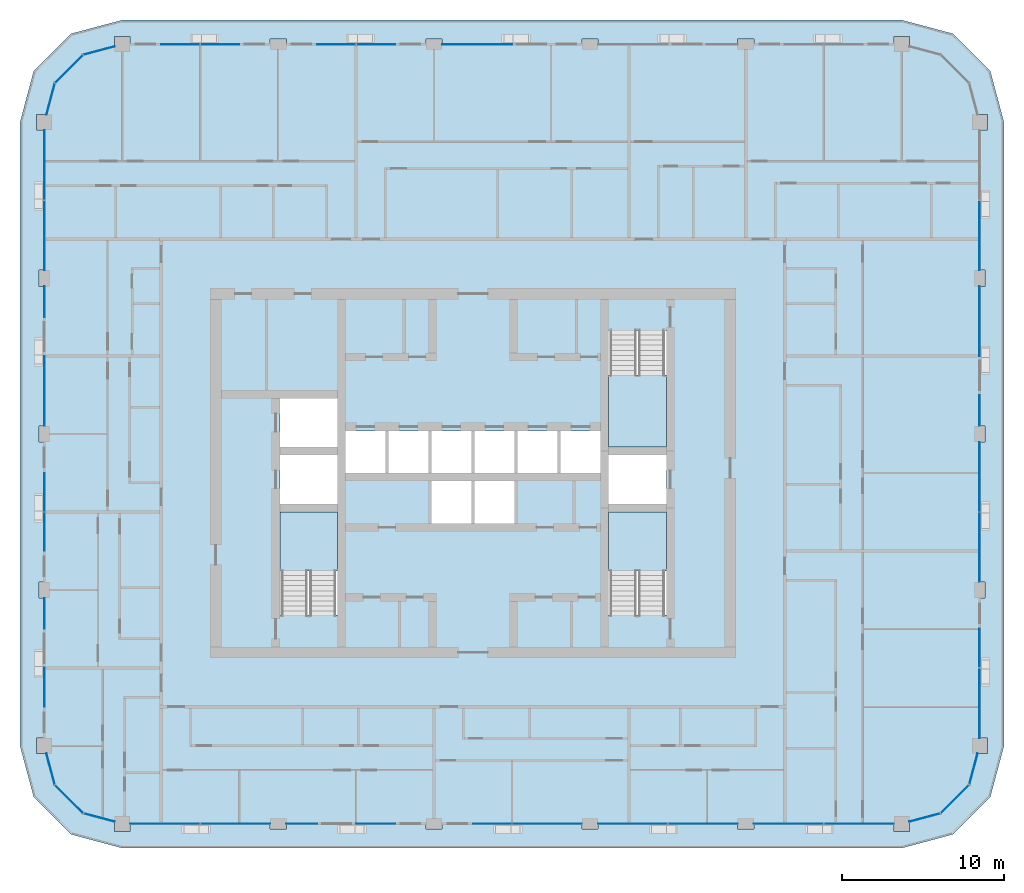
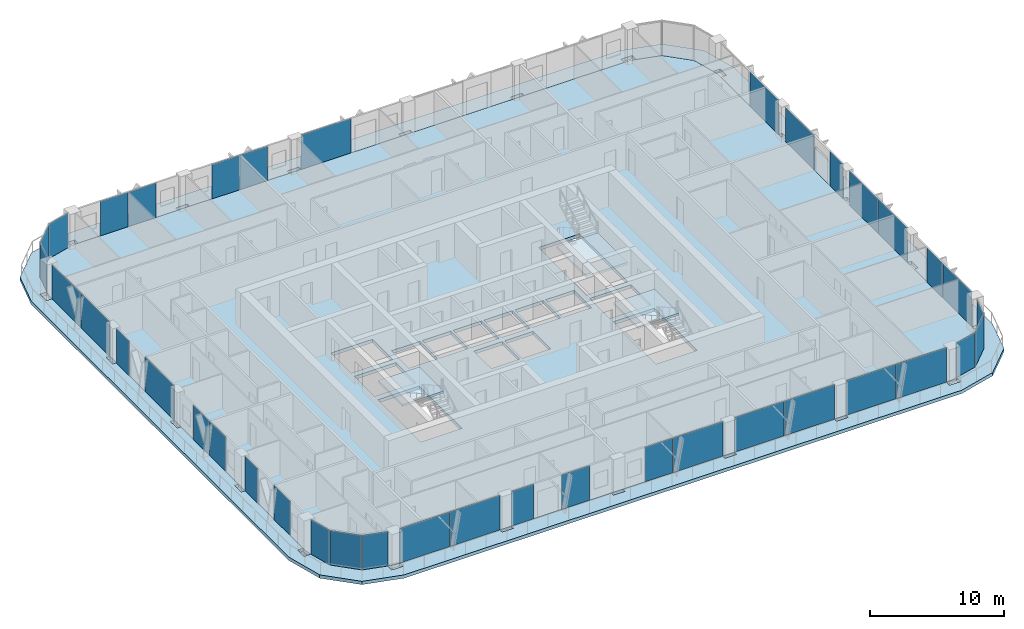
# One storey, part 7 of 23: 39 plates, 5 slabs, 22 elements without a shape of their own.
"""IFC4 building model written with IfcOpenShell, lengths in metres."""

from ifc_helpers import new_model, si_unit, direction, frame, origin, origin_2d, place, context, subcontext, project, spatial, polyline, rectangle, outline, extrude, material, layer, layer_set, type_object, element, aggregate, save


model = new_model("IFC4")

# Units and contexts
model_context = context("Model", 3, precision=1e-05, world=origin(), true_north=direction((0.0, 1.0)))
body_context = subcontext(model_context, "Body", "Model", "MODEL_VIEW")
ifc_project = project(units=[si_unit("LENGTHUNIT", "METRE"), si_unit("AREAUNIT", "SQUARE_METRE"), si_unit("VOLUMEUNIT", "CUBIC_METRE"), si_unit("PLANEANGLEUNIT", "RADIAN"), si_unit("MASSUNIT", "GRAM", prefix="KILO")], contexts=[model_context])

# Site, building, storey
site_placement = place(None, origin())
site = spatial("IfcSite", under=ifc_project, at=site_placement, CompositionType="ELEMENT")
building_placement = place(site_placement, origin())
building = spatial("IfcBuilding", under=site, at=building_placement, Name="Madar Terraces", CompositionType="ELEMENT")
storey_placement = place(building_placement, frame((0.0, 0.0, 215.800048828125)))
storey = spatial("IfcBuildingStorey", under=building, at=storey_placement, Name="L56", CompositionType="ELEMENT", Elevation=215.800048828125)

# Slabs
ifc_material_1 = material(Name="Concrete C50/60", Category="concrete")
ifc_layer_1 = layer(ifc_material_1, 0.300048828125)
ifc_layer_set_1 = layer_set([ifc_layer_1], Name="Balcony band 300")
slab_type_1 = type_object("IfcSlabType", Name="Balcony band 300", PredefinedType="FLOOR", material=ifc_layer_set_1)
slab_1_placement = place(storey_placement, frame((0.0, 0.0, -0.300048828125)))
element("IfcSlab", 1, at=slab_1_placement, inside=storey, type_object=slab_type_1, Name="Balcony band", PredefinedType="FLOOR", context=body_context, shape_type="SweptSolid", body=[
    extrude(outline(polyline([(9.60009765625, 3.300048828125), (6.449951171875, 4.14404296875), (4.14404296875, 6.449951171875), (3.300048828125, 9.60009765625), (3.300048828125, 48.0), (4.14404296875, 51.14990234375), (6.449951171875, 53.4560546875), (9.60009765625, 54.300048828125), (57.60009765625, 54.300048828125), (60.75, 53.4560546875), (63.055908203125, 51.14990234375), (63.89990234375, 48.0), (63.89990234375, 9.60009765625), (63.055908203125, 6.449951171875), (60.75, 4.14404296875), (57.60009765625, 3.300048828125), (9.60009765625, 3.300048828125)]), holes=[polyline([(10.074951171875, 4.324951171875), (10.074951171875, 4.800048828125), (18.699951171875, 4.800048828125), (18.699951171875, 4.47509765625), (19.699951171875, 4.47509765625), (19.699951171875, 4.800048828125), (28.300048828125, 4.800048828125), (28.300048828125, 4.47509765625), (29.300048828125, 4.47509765625), (29.300048828125, 4.800048828125), (37.89990234375, 4.800048828125), (37.89990234375, 4.47509765625), (38.89990234375, 4.47509765625), (38.89990234375, 4.800048828125), (47.5, 4.800048828125), (47.5, 4.47509765625), (48.5, 4.47509765625), (48.5, 4.800048828125), (57.125, 4.800048828125), (57.125, 4.324951171875), (58.074951171875, 4.324951171875), (58.074951171875, 4.92724609375), (60.0, 5.443115234375), (61.7568359375, 7.199951171875), (62.272705078125, 9.125), (62.875, 9.125), (62.875, 10.074951171875), (62.39990234375, 10.074951171875), (62.39990234375, 18.699951171875), (62.72509765625, 18.699951171875), (62.72509765625, 19.699951171875), (62.39990234375, 19.699951171875), (62.39990234375, 28.300048828125), (62.72509765625, 28.300048828125), (62.72509765625, 29.300048828125), (62.39990234375, 29.300048828125), (62.39990234375, 37.89990234375), (62.72509765625, 37.89990234375), (62.72509765625, 38.89990234375), (62.39990234375, 38.89990234375), (62.39990234375, 47.52490234375), (62.875, 47.52490234375), (62.875, 48.47509765625), (62.272705078125, 48.47509765625), (61.7568359375, 50.39990234375), (60.0, 52.156982421875), (58.074951171875, 52.672607421875), (58.074951171875, 53.27490234375), (57.125, 53.27490234375), (57.125, 52.800048828125), (48.5, 52.800048828125), (48.5, 53.125), (47.5, 53.125), (47.5, 52.800048828125), (38.89990234375, 52.800048828125), (38.89990234375, 53.125), (37.89990234375, 53.125), (37.89990234375, 52.800048828125), (29.300048828125, 52.800048828125), (29.300048828125, 53.125), (28.300048828125, 53.125), (28.300048828125, 52.800048828125), (19.699951171875, 52.800048828125), (19.699951171875, 53.125), (18.699951171875, 53.125), (18.699951171875, 52.800048828125), (10.074951171875, 52.800048828125), (10.074951171875, 53.27490234375), (9.125, 53.27490234375), (9.125, 52.672607421875), (7.199951171875, 52.156982421875), (5.443115234375, 50.39990234375), (4.92724609375, 48.47509765625), (4.324951171875, 48.47509765625), (4.324951171875, 47.52490234375), (4.800048828125, 47.52490234375), (4.800048828125, 38.89990234375), (4.47509765625, 38.89990234375), (4.47509765625, 37.89990234375), (4.800048828125, 37.89990234375), (4.800048828125, 29.300048828125), (4.47509765625, 29.300048828125), (4.47509765625, 28.300048828125), (4.800048828125, 28.300048828125), (4.800048828125, 19.699951171875), (4.47509765625, 19.699951171875), (4.47509765625, 18.699951171875), (4.800048828125, 18.699951171875), (4.800048828125, 10.074951171875), (4.324951171875, 10.074951171875), (4.324951171875, 9.125), (4.92724609375, 9.125), (5.443115234375, 7.199951171875), (7.199951171875, 5.443115234375), (9.125, 4.92724609375), (9.125, 4.324951171875), (10.074951171875, 4.324951171875)])]), origin(), (0.0, 0.0, 1.0), 0.300048828125),
])
ifc_material_2 = material(Name="Concrete C50/60", Category="concrete")
ifc_layer_2 = layer(ifc_material_2, 0.300048828125)
ifc_layer_set_2 = layer_set([ifc_layer_2], Name="FS2 PT flat slab 300")
slab_type_2 = type_object("IfcSlabType", Name="FS2 PT flat slab 300", PredefinedType="FLOOR", material=ifc_layer_set_2)
slab_2_placement = place(storey_placement, frame((0.0, 0.0, -0.300048828125)))
element("IfcSlab", 2, at=slab_2_placement, inside=storey, type_object=slab_type_2, Name="Floor slab L56 (1)", PredefinedType="FLOOR", context=body_context, shape_type="SweptSolid", body=[
    extrude(outline(polyline([(57.60009765625, 4.800048828125), (60.0, 5.443115234375), (61.7568359375, 7.199951171875), (62.39990234375, 9.60009765625), (62.39990234375, 48.0), (61.7568359375, 50.39990234375), (60.0, 52.156982421875), (57.60009765625, 52.800048828125), (9.60009765625, 52.800048828125), (7.199951171875, 52.156982421875), (5.443115234375, 50.39990234375), (4.800048828125, 48.0), (4.800048828125, 9.60009765625), (5.443115234375, 7.199951171875), (7.199951171875, 5.443115234375), (9.60009765625, 4.800048828125), (57.60009765625, 4.800048828125)]), holes=[polyline([(22.85009765625, 17.64990234375), (19.300048828125, 17.64990234375), (19.300048828125, 24.0), (22.85009765625, 24.0), (22.85009765625, 17.64990234375)]), polyline([(28.64990234375, 23.300048828125), (28.64990234375, 25.89990234375), (31.10009765625, 25.89990234375), (31.10009765625, 23.300048828125), (28.64990234375, 23.300048828125)]), polyline([(19.300048828125, 24.5), (19.300048828125, 27.5), (22.85009765625, 27.5), (22.85009765625, 24.5), (19.300048828125, 24.5)]), polyline([(23.35009765625, 26.39990234375), (23.35009765625, 29.0), (25.800048828125, 29.0), (25.800048828125, 26.39990234375), (23.35009765625, 26.39990234375)]), polyline([(26.0, 26.39990234375), (26.0, 29.0), (28.449951171875, 29.0), (28.449951171875, 26.39990234375), (26.0, 26.39990234375)]), polyline([(28.64990234375, 26.39990234375), (28.64990234375, 29.0), (31.10009765625, 29.0), (31.10009765625, 26.39990234375), (28.64990234375, 26.39990234375)]), polyline([(19.300048828125, 28.0), (19.300048828125, 31.0), (22.85009765625, 31.0), (22.85009765625, 28.0), (19.300048828125, 28.0)]), polyline([(43.10009765625, 17.64990234375), (39.550048828125, 17.64990234375), (39.550048828125, 24.0), (43.10009765625, 24.0), (43.10009765625, 17.64990234375)]), polyline([(31.300048828125, 23.300048828125), (31.300048828125, 25.89990234375), (33.75, 25.89990234375), (33.75, 23.300048828125), (31.300048828125, 23.300048828125)]), polyline([(39.550048828125, 24.5), (39.550048828125, 27.5), (43.10009765625, 27.5), (43.10009765625, 24.5), (39.550048828125, 24.5)]), polyline([(31.300048828125, 26.39990234375), (31.300048828125, 29.0), (33.75, 29.0), (33.75, 26.39990234375), (31.300048828125, 26.39990234375)]), polyline([(33.949951171875, 26.39990234375), (33.949951171875, 29.0), (36.39990234375, 29.0), (36.39990234375, 26.39990234375), (33.949951171875, 26.39990234375)]), polyline([(36.60009765625, 26.39990234375), (36.60009765625, 29.0), (39.050048828125, 29.0), (39.050048828125, 26.39990234375), (36.60009765625, 26.39990234375)]), polyline([(39.550048828125, 28.0), (39.550048828125, 35.14990234375), (43.10009765625, 35.14990234375), (43.10009765625, 28.0), (39.550048828125, 28.0)])]), origin(), (0.0, 0.0, 1.0), 0.300048828125),
])

# Curtain wall, plates
ifc_material_3 = material(Name="Glass, ceramic frit dark grey, with black aluminium frame", Category="aluminium")
ifc_layer_3 = layer(ifc_material_3, 0.199951171875)
ifc_layer_set_3 = layer_set([ifc_layer_3], Name="Facade curtain wall, fritted glass")
curtain_wall_type = type_object("IfcCurtainWallType", Name="Facade curtain wall, fritted glass", PredefinedType="NOTDEFINED", material=ifc_layer_set_3)
curtain_wall_1_placement = place(storey_placement, origin())
curtain_wall_1 = element("IfcCurtainWall", 3, at=curtain_wall_1_placement, inside=storey, type_object=curtain_wall_type, Name="Outer skin curtain wall south bay 1", PredefinedType="NOTDEFINED")
ifc_material_4 = material(Name="Glass, ceramic frit dark grey", Category="glass")
ifc_layer_4 = layer(ifc_material_4, 0.028076171875)
ifc_layer_set_4 = layer_set([ifc_layer_4], Name="Facade glass panel 28")
plate_type = type_object("IfcPlateType", Name="Facade glass panel 28", PredefinedType="CURTAIN_PANEL", material=ifc_layer_set_4)
plate_1_placement = place(storey_placement, frame((12.222412109375, 4.800048828125, 0.0), z_axis=(0.0, 0.0, 1.0), x_axis=(1.0, 0.0, 0.0)))
plate_1 = element("IfcPlate", 4, at=plate_1_placement, type_object=plate_type, Name="Panel 1", PredefinedType="CURTAIN_PANEL", context=body_context, shape_type="SweptSolid", body=[
    extrude(rectangle(XDim=4.294921875, YDim=0.028076171875, at=origin_2d()), origin(), (0.0, 0.0, 1.0), 3.139892578125),
])
plate_2_placement = place(storey_placement, frame((16.56494140625, 4.800048828125, 0.0), z_axis=(0.0, 0.0, 1.0), x_axis=(1.0, 0.0, 0.0)))
plate_2 = element("IfcPlate", 5, at=plate_2_placement, type_object=plate_type, Name="Panel 2", PredefinedType="CURTAIN_PANEL", context=body_context, shape_type="SweptSolid", body=[
    extrude(rectangle(XDim=4.27001953125, YDim=0.028076171875, at=origin_2d()), origin(), (0.0, 0.0, 1.0), 3.139892578125),
])
aggregate(curtain_wall_1, [plate_1, plate_2])

curtain_wall_2_placement = place(storey_placement, origin())
curtain_wall_2 = element("IfcCurtainWall", 6, at=curtain_wall_2_placement, inside=storey, type_object=curtain_wall_type, Name="Outer skin curtain wall south bay 2", PredefinedType="NOTDEFINED")
plate_3_placement = place(storey_placement, frame((20.64990234375, 4.800048828125, 0.0), z_axis=(0.0, 0.0, 1.0), x_axis=(1.0, 0.0, 0.0)))
plate_3 = element("IfcPlate", 7, at=plate_3_placement, type_object=plate_type, Name="Panel 1", PredefinedType="CURTAIN_PANEL", context=body_context, shape_type="SweptSolid", body=[
    extrude(rectangle(XDim=1.89990234375, YDim=0.028076171875, at=origin_2d()), origin(), (0.0, 0.0, 1.0), 3.139892578125),
])
plate_4_placement = place(storey_placement, frame((25.199951171875, 4.800048828125, 0.0), z_axis=(0.0, 0.0, 1.0), x_axis=(1.0, 0.0, 0.0)))
plate_4 = element("IfcPlate", 8, at=plate_4_placement, type_object=plate_type, Name="Panel 2", PredefinedType="CURTAIN_PANEL", context=body_context, shape_type="SweptSolid", body=[
    extrude(rectangle(XDim=2.39990234375, YDim=0.028076171875, at=origin_2d()), origin(), (0.0, 0.0, 1.0), 3.139892578125),
])
aggregate(curtain_wall_2, [plate_3, plate_4])

curtain_wall_3_placement = place(storey_placement, origin())
curtain_wall_3 = element("IfcCurtainWall", 9, at=curtain_wall_3_placement, inside=storey, type_object=curtain_wall_type, Name="Outer skin curtain wall south bay 3", PredefinedType="NOTDEFINED")
plate_5_placement = place(storey_placement, frame((32.385009765625, 4.800048828125, 0.0), z_axis=(0.0, 0.0, 1.0), x_axis=(1.0, 0.0, 0.0)))
plate_5 = element("IfcPlate", 10, at=plate_5_placement, type_object=plate_type, Name="Panel 1", PredefinedType="CURTAIN_PANEL", context=body_context, shape_type="SweptSolid", body=[
    extrude(rectangle(XDim=2.3701171875, YDim=0.028076171875, at=origin_2d()), origin(), (0.0, 0.0, 1.0), 3.139892578125),
])
plate_6_placement = place(storey_placement, frame((35.764892578125, 4.800048828125, 0.0), z_axis=(0.0, 0.0, 1.0), x_axis=(1.0, 0.0, 0.0)))
plate_6 = element("IfcPlate", 11, at=plate_6_placement, type_object=plate_type, Name="Panel 2", PredefinedType="CURTAIN_PANEL", context=body_context, shape_type="SweptSolid", body=[
    extrude(rectangle(XDim=4.27001953125, YDim=0.028076171875, at=origin_2d()), origin(), (0.0, 0.0, 1.0), 3.139892578125),
])
aggregate(curtain_wall_3, [plate_5, plate_6])

curtain_wall_4_placement = place(storey_placement, origin())
curtain_wall_4 = element("IfcCurtainWall", 12, at=curtain_wall_4_placement, inside=storey, type_object=curtain_wall_type, Name="Outer skin curtain wall south bay 4", PredefinedType="NOTDEFINED")
plate_7_placement = place(storey_placement, frame((41.034912109375, 4.800048828125, 0.0), z_axis=(0.0, 0.0, 1.0), x_axis=(1.0, 0.0, 0.0)))
plate_7 = element("IfcPlate", 13, at=plate_7_placement, type_object=plate_type, Name="Panel 1", PredefinedType="CURTAIN_PANEL", context=body_context, shape_type="SweptSolid", body=[
    extrude(rectangle(XDim=4.27001953125, YDim=0.028076171875, at=origin_2d()), origin(), (0.0, 0.0, 1.0), 3.139892578125),
])
plate_8_placement = place(storey_placement, frame((45.364990234375, 4.800048828125, 0.0), z_axis=(0.0, 0.0, 1.0), x_axis=(1.0, 0.0, 0.0)))
plate_8 = element("IfcPlate", 14, at=plate_8_placement, type_object=plate_type, Name="Panel 2", PredefinedType="CURTAIN_PANEL", context=body_context, shape_type="SweptSolid", body=[
    extrude(rectangle(XDim=4.27001953125, YDim=0.028076171875, at=origin_2d()), origin(), (0.0, 0.0, 1.0), 3.139892578125),
])
aggregate(curtain_wall_4, [plate_7, plate_8])

curtain_wall_5_placement = place(storey_placement, origin())
curtain_wall_5 = element("IfcCurtainWall", 15, at=curtain_wall_5_placement, inside=storey, type_object=curtain_wall_type, Name="Outer skin curtain wall south bay 5", PredefinedType="NOTDEFINED")
plate_9_placement = place(storey_placement, frame((50.635009765625, 4.800048828125, 0.0), z_axis=(0.0, 0.0, 1.0), x_axis=(1.0, 0.0, 0.0)))
plate_9 = element("IfcPlate", 16, at=plate_9_placement, type_object=plate_type, Name="Panel 1", PredefinedType="CURTAIN_PANEL", context=body_context, shape_type="SweptSolid", body=[
    extrude(rectangle(XDim=4.27001953125, YDim=0.028076171875, at=origin_2d()), origin(), (0.0, 0.0, 1.0), 3.139892578125),
])
plate_10_placement = place(storey_placement, frame((54.9775390625, 4.800048828125, 0.0), z_axis=(0.0, 0.0, 1.0), x_axis=(1.0, 0.0, 0.0)))
plate_10 = element("IfcPlate", 17, at=plate_10_placement, type_object=plate_type, Name="Panel 2", PredefinedType="CURTAIN_PANEL", context=body_context, shape_type="SweptSolid", body=[
    extrude(rectangle(XDim=4.294921875, YDim=0.028076171875, at=origin_2d()), origin(), (0.0, 0.0, 1.0), 3.139892578125),
])
aggregate(curtain_wall_5, [plate_9, plate_10])

curtain_wall_6_placement = place(storey_placement, origin())
curtain_wall_6 = element("IfcCurtainWall", 18, at=curtain_wall_6_placement, inside=storey, type_object=curtain_wall_type, Name="Outer skin curtain wall east bay 1", PredefinedType="NOTDEFINED")
plate_11_placement = place(storey_placement, frame((62.39990234375, 12.222412109375, 0.0), z_axis=(0.0, 0.0, 1.0), x_axis=(0.0, 1.0, 0.0)))
plate_11 = element("IfcPlate", 19, at=plate_11_placement, type_object=plate_type, Name="Panel 1", PredefinedType="CURTAIN_PANEL", context=body_context, shape_type="SweptSolid", body=[
    extrude(rectangle(XDim=4.294921875, YDim=0.028076171875, at=origin_2d()), origin(), (0.0, 0.0, 1.0), 3.139892578125),
])
plate_12_placement = place(storey_placement, frame((62.39990234375, 15.614990234375, 0.0), z_axis=(0.0, 0.0, 1.0), x_axis=(0.0, 1.0, 0.0)))
plate_12 = element("IfcPlate", 20, at=plate_12_placement, type_object=plate_type, Name="Panel 2", PredefinedType="CURTAIN_PANEL", context=body_context, shape_type="SweptSolid", body=[
    extrude(rectangle(XDim=2.3701171875, YDim=0.028076171875, at=origin_2d()), origin(), (0.0, 0.0, 1.0), 3.139892578125),
])
aggregate(curtain_wall_6, [plate_11, plate_12])

curtain_wall_7_placement = place(storey_placement, origin())
curtain_wall_7 = element("IfcCurtainWall", 21, at=curtain_wall_7_placement, inside=storey, type_object=curtain_wall_type, Name="Outer skin curtain wall east bay 2", PredefinedType="NOTDEFINED")
plate_13_placement = place(storey_placement, frame((62.39990234375, 21.8349609375, 0.0), z_axis=(0.0, 0.0, 1.0), x_axis=(0.0, 1.0, 0.0)))
plate_13 = element("IfcPlate", 22, at=plate_13_placement, type_object=plate_type, Name="Panel 1", PredefinedType="CURTAIN_PANEL", context=body_context, shape_type="SweptSolid", body=[
    extrude(rectangle(XDim=4.27001953125, YDim=0.028076171875, at=origin_2d()), origin(), (0.0, 0.0, 1.0), 3.139892578125),
])
plate_14_placement = place(storey_placement, frame((62.39990234375, 26.1650390625, 0.0), z_axis=(0.0, 0.0, 1.0), x_axis=(0.0, 1.0, 0.0)))
plate_14 = element("IfcPlate", 23, at=plate_14_placement, type_object=plate_type, Name="Panel 2", PredefinedType="CURTAIN_PANEL", context=body_context, shape_type="SweptSolid", body=[
    extrude(rectangle(XDim=4.27001953125, YDim=0.028076171875, at=origin_2d()), origin(), (0.0, 0.0, 1.0), 3.139892578125),
])
aggregate(curtain_wall_7, [plate_13, plate_14])

curtain_wall_8_placement = place(storey_placement, origin())
curtain_wall_8 = element("IfcCurtainWall", 24, at=curtain_wall_8_placement, inside=storey, type_object=curtain_wall_type, Name="Outer skin curtain wall east bay 3", PredefinedType="NOTDEFINED")
plate_15_placement = place(storey_placement, frame((62.39990234375, 30.25, 0.0), z_axis=(0.0, 0.0, 1.0), x_axis=(0.0, 1.0, 0.0)))
plate_15 = element("IfcPlate", 25, at=plate_15_placement, type_object=plate_type, Name="Panel 1", PredefinedType="CURTAIN_PANEL", context=body_context, shape_type="SweptSolid", body=[
    extrude(rectangle(XDim=1.89990234375, YDim=0.028076171875, at=origin_2d()), origin(), (0.0, 0.0, 1.0), 3.139892578125),
])
plate_16_placement = place(storey_placement, frame((62.39990234375, 35.75, 0.0), z_axis=(0.0, 0.0, 1.0), x_axis=(0.0, 1.0, 0.0)))
plate_16 = element("IfcPlate", 26, at=plate_16_placement, type_object=plate_type, Name="Panel 2", PredefinedType="CURTAIN_PANEL", context=body_context, shape_type="SweptSolid", body=[
    extrude(rectangle(XDim=4.300048828125, YDim=0.028076171875, at=origin_2d()), origin(), (0.0, 0.0, 1.0), 3.139892578125),
])
aggregate(curtain_wall_8, [plate_15, plate_16])

# Curtain wall, plate
curtain_wall_9_placement = place(storey_placement, origin())
curtain_wall_9 = element("IfcCurtainWall", 27, at=curtain_wall_9_placement, inside=storey, type_object=curtain_wall_type, Name="Outer skin curtain wall east bay 4", PredefinedType="NOTDEFINED")
plate_17_placement = place(storey_placement, frame((62.39990234375, 41.034912109375, 0.0), z_axis=(0.0, 0.0, 1.0), x_axis=(0.0, 1.0, 0.0)))
plate_17 = element("IfcPlate", 28, at=plate_17_placement, type_object=plate_type, Name="Panel 1", PredefinedType="CURTAIN_PANEL", context=body_context, shape_type="SweptSolid", body=[
    extrude(rectangle(XDim=4.27001953125, YDim=0.028076171875, at=origin_2d()), origin(), (0.0, 0.0, 1.0), 3.139892578125),
])
aggregate(curtain_wall_9, [plate_17])

curtain_wall_10_placement = place(storey_placement, origin())
curtain_wall_10 = element("IfcCurtainWall", 29, at=curtain_wall_10_placement, inside=storey, type_object=curtain_wall_type, Name="Outer skin curtain wall north bay 3", PredefinedType="NOTDEFINED")
plate_18_placement = place(storey_placement, frame((31.449951171875, 52.800048828125, 0.0), z_axis=(0.0, 0.0, 1.0), x_axis=(-1.0, 0.0, 0.0)))
plate_18 = element("IfcPlate", 30, at=plate_18_placement, type_object=plate_type, Name="Panel 1", PredefinedType="CURTAIN_PANEL", context=body_context, shape_type="SweptSolid", body=[
    extrude(rectangle(XDim=4.300048828125, YDim=0.028076171875, at=origin_2d()), origin(), (0.0, 0.0, 1.0), 3.139892578125),
])
aggregate(curtain_wall_10, [plate_18])

# Curtain wall, plates
curtain_wall_11_placement = place(storey_placement, origin())
curtain_wall_11 = element("IfcCurtainWall", 31, at=curtain_wall_11_placement, inside=storey, type_object=curtain_wall_type, Name="Outer skin curtain wall north bay 4", PredefinedType="NOTDEFINED")
plate_19_placement = place(storey_placement, frame((25.215087890625, 52.800048828125, 0.0), z_axis=(0.0, 0.0, 1.0), x_axis=(-1.0, 0.0, 0.0)))
plate_19 = element("IfcPlate", 32, at=plate_19_placement, type_object=plate_type, Name="Panel 1", PredefinedType="CURTAIN_PANEL", context=body_context, shape_type="SweptSolid", body=[
    extrude(rectangle(XDim=2.3701171875, YDim=0.028076171875, at=origin_2d()), origin(), (0.0, 0.0, 1.0), 3.139892578125),
])
plate_20_placement = place(storey_placement, frame((22.784912109375, 52.800048828125, 0.0), z_axis=(0.0, 0.0, 1.0), x_axis=(-1.0, 0.0, 0.0)))
plate_20 = element("IfcPlate", 33, at=plate_20_placement, type_object=plate_type, Name="Panel 2", PredefinedType="CURTAIN_PANEL", context=body_context, shape_type="SweptSolid", body=[
    extrude(rectangle(XDim=2.3701171875, YDim=0.028076171875, at=origin_2d()), origin(), (0.0, 0.0, 1.0), 3.139892578125),
])
aggregate(curtain_wall_11, [plate_19, plate_20])

curtain_wall_12_placement = place(storey_placement, origin())
curtain_wall_12 = element("IfcCurtainWall", 34, at=curtain_wall_12_placement, inside=storey, type_object=curtain_wall_type, Name="Outer skin curtain wall north bay 5", PredefinedType="NOTDEFINED")
plate_21_placement = place(storey_placement, frame((15.614990234375, 52.800048828125, 0.0), z_axis=(0.0, 0.0, 1.0), x_axis=(-1.0, 0.0, 0.0)))
plate_21 = element("IfcPlate", 35, at=plate_21_placement, type_object=plate_type, Name="Panel 1", PredefinedType="CURTAIN_PANEL", context=body_context, shape_type="SweptSolid", body=[
    extrude(rectangle(XDim=2.3701171875, YDim=0.028076171875, at=origin_2d()), origin(), (0.0, 0.0, 1.0), 3.139892578125),
])
plate_22_placement = place(storey_placement, frame((13.18505859375, 52.800048828125, 0.0), z_axis=(0.0, 0.0, 1.0), x_axis=(-1.0, 0.0, 0.0)))
plate_22 = element("IfcPlate", 36, at=plate_22_placement, type_object=plate_type, Name="Panel 2", PredefinedType="CURTAIN_PANEL", context=body_context, shape_type="SweptSolid", body=[
    extrude(rectangle(XDim=2.3701171875, YDim=0.028076171875, at=origin_2d()), origin(), (0.0, 0.0, 1.0), 3.139892578125),
])
aggregate(curtain_wall_12, [plate_21, plate_22])

curtain_wall_13_placement = place(storey_placement, origin())
curtain_wall_13 = element("IfcCurtainWall", 37, at=curtain_wall_13_placement, inside=storey, type_object=curtain_wall_type, Name="Outer skin curtain wall west bay 1", PredefinedType="NOTDEFINED")
plate_23_placement = place(storey_placement, frame((4.800048828125, 45.37744140625, 0.0), z_axis=(0.0, 0.0, 1.0), x_axis=(0.0, -1.0, 0.0)))
plate_23 = element("IfcPlate", 38, at=plate_23_placement, type_object=plate_type, Name="Panel 1", PredefinedType="CURTAIN_PANEL", context=body_context, shape_type="SweptSolid", body=[
    extrude(rectangle(XDim=4.294921875, YDim=0.028076171875, at=origin_2d()), origin(), (0.0, 0.0, 1.0), 3.139892578125),
])
plate_24_placement = place(storey_placement, frame((4.800048828125, 41.034912109375, 0.0), z_axis=(0.0, 0.0, 1.0), x_axis=(0.0, -1.0, 0.0)))
plate_24 = element("IfcPlate", 39, at=plate_24_placement, type_object=plate_type, Name="Panel 2", PredefinedType="CURTAIN_PANEL", context=body_context, shape_type="SweptSolid", body=[
    extrude(rectangle(XDim=4.27001953125, YDim=0.028076171875, at=origin_2d()), origin(), (0.0, 0.0, 1.0), 3.139892578125),
])
aggregate(curtain_wall_13, [plate_23, plate_24])

curtain_wall_14_placement = place(storey_placement, origin())
curtain_wall_14 = element("IfcCurtainWall", 40, at=curtain_wall_14_placement, inside=storey, type_object=curtain_wall_type, Name="Outer skin curtain wall west bay 2", PredefinedType="NOTDEFINED")
plate_25_placement = place(storey_placement, frame((4.800048828125, 36.949951171875, 0.0), z_axis=(0.0, 0.0, 1.0), x_axis=(0.0, -1.0, 0.0)))
plate_25 = element("IfcPlate", 41, at=plate_25_placement, type_object=plate_type, Name="Panel 1", PredefinedType="CURTAIN_PANEL", context=body_context, shape_type="SweptSolid", body=[
    extrude(rectangle(XDim=1.89990234375, YDim=0.028076171875, at=origin_2d()), origin(), (0.0, 0.0, 1.0), 3.139892578125),
])
plate_26_placement = place(storey_placement, frame((4.800048828125, 31.449951171875, 0.0), z_axis=(0.0, 0.0, 1.0), x_axis=(0.0, -1.0, 0.0)))
plate_26 = element("IfcPlate", 42, at=plate_26_placement, type_object=plate_type, Name="Panel 2", PredefinedType="CURTAIN_PANEL", context=body_context, shape_type="SweptSolid", body=[
    extrude(rectangle(XDim=4.300048828125, YDim=0.028076171875, at=origin_2d()), origin(), (0.0, 0.0, 1.0), 3.139892578125),
])
aggregate(curtain_wall_14, [plate_25, plate_26])

curtain_wall_15_placement = place(storey_placement, origin())
curtain_wall_15 = element("IfcCurtainWall", 43, at=curtain_wall_15_placement, inside=storey, type_object=curtain_wall_type, Name="Outer skin curtain wall west bay 3", PredefinedType="NOTDEFINED")
plate_27_placement = place(storey_placement, frame((4.800048828125, 25.215087890625, 0.0), z_axis=(0.0, 0.0, 1.0), x_axis=(0.0, -1.0, 0.0)))
plate_27 = element("IfcPlate", 44, at=plate_27_placement, type_object=plate_type, Name="Panel 1", PredefinedType="CURTAIN_PANEL", context=body_context, shape_type="SweptSolid", body=[
    extrude(rectangle(XDim=2.3701171875, YDim=0.028076171875, at=origin_2d()), origin(), (0.0, 0.0, 1.0), 3.139892578125),
])
plate_28_placement = place(storey_placement, frame((4.800048828125, 22.784912109375, 0.0), z_axis=(0.0, 0.0, 1.0), x_axis=(0.0, -1.0, 0.0)))
plate_28 = element("IfcPlate", 45, at=plate_28_placement, type_object=plate_type, Name="Panel 2", PredefinedType="CURTAIN_PANEL", context=body_context, shape_type="SweptSolid", body=[
    extrude(rectangle(XDim=2.3701171875, YDim=0.028076171875, at=origin_2d()), origin(), (0.0, 0.0, 1.0), 3.139892578125),
])
aggregate(curtain_wall_15, [plate_27, plate_28])

curtain_wall_16_placement = place(storey_placement, origin())
curtain_wall_16 = element("IfcCurtainWall", 46, at=curtain_wall_16_placement, inside=storey, type_object=curtain_wall_type, Name="Outer skin curtain wall west bay 4", PredefinedType="NOTDEFINED")
plate_29_placement = place(storey_placement, frame((4.800048828125, 17.75, 0.0), z_axis=(0.0, 0.0, 1.0), x_axis=(0.0, -1.0, 0.0)))
plate_29 = element("IfcPlate", 47, at=plate_29_placement, type_object=plate_type, Name="Panel 1", PredefinedType="CURTAIN_PANEL", context=body_context, shape_type="SweptSolid", body=[
    extrude(rectangle(XDim=1.89990234375, YDim=0.028076171875, at=origin_2d()), origin(), (0.0, 0.0, 1.0), 3.139892578125),
])
plate_30_placement = place(storey_placement, frame((4.800048828125, 13.199951171875, 0.0), z_axis=(0.0, 0.0, 1.0), x_axis=(0.0, -1.0, 0.0)))
plate_30 = element("IfcPlate", 48, at=plate_30_placement, type_object=plate_type, Name="Panel 2", PredefinedType="CURTAIN_PANEL", context=body_context, shape_type="SweptSolid", body=[
    extrude(rectangle(XDim=2.39990234375, YDim=0.028076171875, at=origin_2d()), origin(), (0.0, 0.0, 1.0), 3.139892578125),
])
aggregate(curtain_wall_16, [plate_29, plate_30])

curtain_wall_17_placement = place(storey_placement, origin())
curtain_wall_17 = element("IfcCurtainWall", 49, at=curtain_wall_17_placement, inside=storey, type_object=curtain_wall_type, Name="Outer skin curtain wall south-east corner", PredefinedType="NOTDEFINED")
plate_31_placement = place(storey_placement, frame((59.02294921875, 5.181396484375, 0.0), z_axis=(0.0, 0.0, 1.0), x_axis=(0.965925832509, 0.258819021888, 0.0)))
plate_31 = element("IfcPlate", 50, at=plate_31_placement, type_object=plate_type, Name="Panel 1", PredefinedType="CURTAIN_PANEL", context=body_context, shape_type="SweptSolid", body=[
    extrude(rectangle(XDim=1.962890625, YDim=0.028076171875, at=origin_2d()), origin(), (0.0, 0.0, 1.0), 3.139892578125),
])
plate_32_placement = place(storey_placement, frame((60.87841796875, 6.321533203125, 0.0), z_axis=(0.0, 0.0, 1.0), x_axis=(0.707106781187, 0.707106781187, 0.0)))
plate_32 = element("IfcPlate", 51, at=plate_32_placement, type_object=plate_type, Name="Panel 2", PredefinedType="CURTAIN_PANEL", context=body_context, shape_type="SweptSolid", body=[
    extrude(rectangle(XDim=2.424560546875, YDim=0.028076171875, at=origin_2d()), origin(), (0.0, 0.0, 1.0), 3.139892578125),
])
plate_33_placement = place(storey_placement, frame((62.018798828125, 8.177001953125, 0.0), z_axis=(0.0, 0.0, 1.0), x_axis=(0.258819021888, 0.965925832509, 0.0)))
plate_33 = element("IfcPlate", 52, at=plate_33_placement, type_object=plate_type, Name="Panel 3", PredefinedType="CURTAIN_PANEL", context=body_context, shape_type="SweptSolid", body=[
    extrude(rectangle(XDim=1.962890625, YDim=0.028076171875, at=origin_2d()), origin(), (0.0, 0.0, 1.0), 3.139892578125),
])
aggregate(curtain_wall_17, [plate_31, plate_32, plate_33])

curtain_wall_18_placement = place(storey_placement, origin())
curtain_wall_18 = element("IfcCurtainWall", 53, at=curtain_wall_18_placement, inside=storey, type_object=curtain_wall_type, Name="Outer skin curtain wall north-west corner", PredefinedType="NOTDEFINED")
plate_34_placement = place(storey_placement, frame((8.177001953125, 52.418701171875, 0.0), z_axis=(0.0, 0.0, 1.0), x_axis=(-0.965925832509, -0.258819021888, 0.0)))
plate_34 = element("IfcPlate", 54, at=plate_34_placement, type_object=plate_type, Name="Panel 1", PredefinedType="CURTAIN_PANEL", context=body_context, shape_type="SweptSolid", body=[
    extrude(rectangle(XDim=1.962890625, YDim=0.028076171875, at=origin_2d()), origin(), (0.0, 0.0, 1.0), 3.139892578125),
])
plate_35_placement = place(storey_placement, frame((6.321533203125, 51.278564453125, 0.0), z_axis=(0.0, 0.0, 1.0), x_axis=(-0.707106781187, -0.707106781187, 0.0)))
plate_35 = element("IfcPlate", 55, at=plate_35_placement, type_object=plate_type, Name="Panel 2", PredefinedType="CURTAIN_PANEL", context=body_context, shape_type="SweptSolid", body=[
    extrude(rectangle(XDim=2.424560546875, YDim=0.028076171875, at=origin_2d()), origin(), (0.0, 0.0, 1.0), 3.139892578125),
])
plate_36_placement = place(storey_placement, frame((5.181396484375, 49.423095703125, 0.0), z_axis=(0.0, 0.0, 1.0), x_axis=(-0.258819021888, -0.965925832509, 0.0)))
plate_36 = element("IfcPlate", 56, at=plate_36_placement, type_object=plate_type, Name="Panel 3", PredefinedType="CURTAIN_PANEL", context=body_context, shape_type="SweptSolid", body=[
    extrude(rectangle(XDim=1.962890625, YDim=0.028076171875, at=origin_2d()), origin(), (0.0, 0.0, 1.0), 3.139892578125),
])
aggregate(curtain_wall_18, [plate_34, plate_35, plate_36])

curtain_wall_19_placement = place(storey_placement, origin())
curtain_wall_19 = element("IfcCurtainWall", 57, at=curtain_wall_19_placement, inside=storey, type_object=curtain_wall_type, Name="Outer skin curtain wall south-west corner", PredefinedType="NOTDEFINED")
plate_37_placement = place(storey_placement, frame((5.181396484375, 8.177001953125, 0.0), z_axis=(0.0, 0.0, 1.0), x_axis=(0.258819021888, -0.965925832509, 0.0)))
plate_37 = element("IfcPlate", 58, at=plate_37_placement, type_object=plate_type, Name="Panel 1", PredefinedType="CURTAIN_PANEL", context=body_context, shape_type="SweptSolid", body=[
    extrude(rectangle(XDim=1.962890625, YDim=0.028076171875, at=origin_2d()), origin(), (0.0, 0.0, 1.0), 3.139892578125),
])
plate_38_placement = place(storey_placement, frame((6.321533203125, 6.321533203125, 0.0), z_axis=(0.0, 0.0, 1.0), x_axis=(0.707106781187, -0.707106781187, 0.0)))
plate_38 = element("IfcPlate", 59, at=plate_38_placement, type_object=plate_type, Name="Panel 2", PredefinedType="CURTAIN_PANEL", context=body_context, shape_type="SweptSolid", body=[
    extrude(rectangle(XDim=2.424560546875, YDim=0.028076171875, at=origin_2d()), origin(), (0.0, 0.0, 1.0), 3.139892578125),
])
plate_39_placement = place(storey_placement, frame((8.177001953125, 5.181396484375, 0.0), z_axis=(0.0, 0.0, 1.0), x_axis=(0.965925832509, -0.258819021888, 0.0)))
plate_39 = element("IfcPlate", 60, at=plate_39_placement, type_object=plate_type, Name="Panel 3", PredefinedType="CURTAIN_PANEL", context=body_context, shape_type="SweptSolid", body=[
    extrude(rectangle(XDim=1.962890625, YDim=0.028076171875, at=origin_2d()), origin(), (0.0, 0.0, 1.0), 3.139892578125),
])
aggregate(curtain_wall_19, [plate_37, plate_38, plate_39])

# Stair, slab
ifc_material_5 = material(Name="Concrete C50/60", Category="concrete")
stair_type_1 = type_object("IfcStairType", Name="Stair ST1 protected exit", PredefinedType="HALF_TURN_STAIR", material=ifc_material_5)
stair_1_placement = place(storey_placement, origin())
stair_1 = element("IfcStair", 61, at=stair_1_placement, inside=storey, type_object=stair_type_1, Name="L56 Protected Exit Stair ST1", PredefinedType="HALF_TURN_STAIR")
ifc_material_6 = material(Name="Concrete C50/60", Category="concrete")
ifc_layer_5 = layer(ifc_material_6, 0.199951171875)
ifc_layer_set_5 = layer_set([ifc_layer_5], Name="Stair landing 200, top +1.75")
slab_type_3 = type_object("IfcSlabType", Name="Stair landing 200, top +1.75", PredefinedType="LANDING", material=ifc_layer_set_5)
slab_3_placement = place(storey_placement, frame((0.0, 0.0, 1.550048828125)))
slab_3 = element("IfcSlab", 62, at=slab_3_placement, type_object=slab_type_3, Name="ST1 landing 1", PredefinedType="LANDING", context=body_context, shape_type="SweptSolid", body=[
    extrude(outline(polyline([(19.300048828125, 20.360107421875), (22.85009765625, 20.360107421875), (22.85009765625, 24.0), (19.300048828125, 24.0), (19.300048828125, 20.360107421875)])), origin(), (0.0, 0.0, 1.0), 0.199951171875),
])
aggregate(stair_1, [slab_3])

ifc_material_7 = material(Name="Concrete C50/60", Category="concrete")
stair_type_2 = type_object("IfcStairType", Name="Stair ST2 protected exit", PredefinedType="HALF_TURN_STAIR", material=ifc_material_7)
stair_2_placement = place(storey_placement, origin())
stair_2 = element("IfcStair", 63, at=stair_2_placement, inside=storey, type_object=stair_type_2, Name="L56 Protected Exit Stair ST2", PredefinedType="HALF_TURN_STAIR")
slab_4_placement = place(storey_placement, frame((0.0, 0.0, 1.550048828125)))
slab_4 = element("IfcSlab", 64, at=slab_4_placement, type_object=slab_type_3, Name="ST2 landing 1", PredefinedType="LANDING", context=body_context, shape_type="SweptSolid", body=[
    extrude(outline(polyline([(39.550048828125, 28.0), (43.10009765625, 28.0), (43.10009765625, 32.43994140625), (39.550048828125, 32.43994140625), (39.550048828125, 28.0)])), origin(), (0.0, 0.0, 1.0), 0.199951171875),
])
aggregate(stair_2, [slab_4])

ifc_material_8 = material(Name="Concrete C50/60", Category="concrete")
stair_type_3 = type_object("IfcStairType", Name="Stair ST3 protected exit", PredefinedType="HALF_TURN_STAIR", material=ifc_material_8)
stair_3_placement = place(storey_placement, origin())
stair_3 = element("IfcStair", 65, at=stair_3_placement, inside=storey, type_object=stair_type_3, Name="L56 Protected Exit Stair ST3", PredefinedType="HALF_TURN_STAIR")
slab_5_placement = place(storey_placement, frame((0.0, 0.0, 1.550048828125)))
slab_5 = element("IfcSlab", 66, at=slab_5_placement, type_object=slab_type_3, Name="ST3 landing 1", PredefinedType="LANDING", context=body_context, shape_type="SweptSolid", body=[
    extrude(outline(polyline([(39.550048828125, 20.360107421875), (43.10009765625, 20.360107421875), (43.10009765625, 24.0), (39.550048828125, 24.0), (39.550048828125, 20.360107421875)])), origin(), (0.0, 0.0, 1.0), 0.199951171875),
])
aggregate(stair_3, [slab_5])

save(model, "model.ifc")
